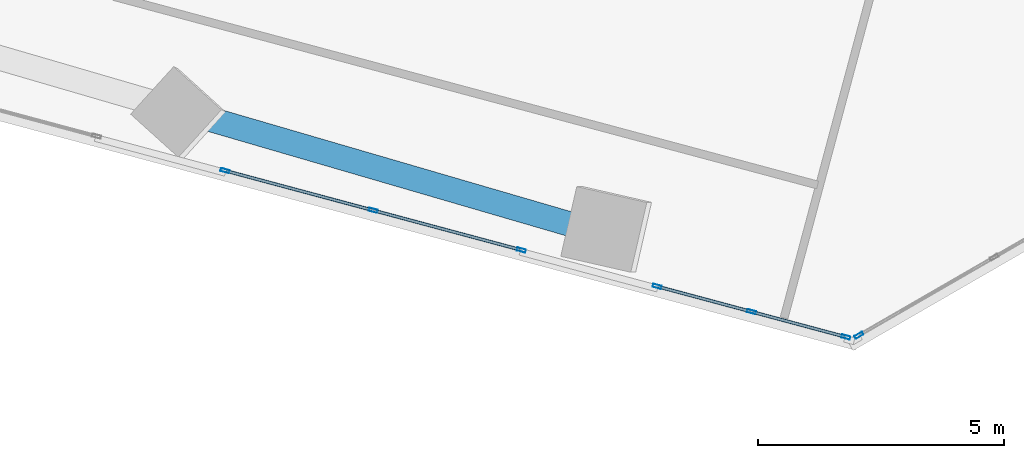
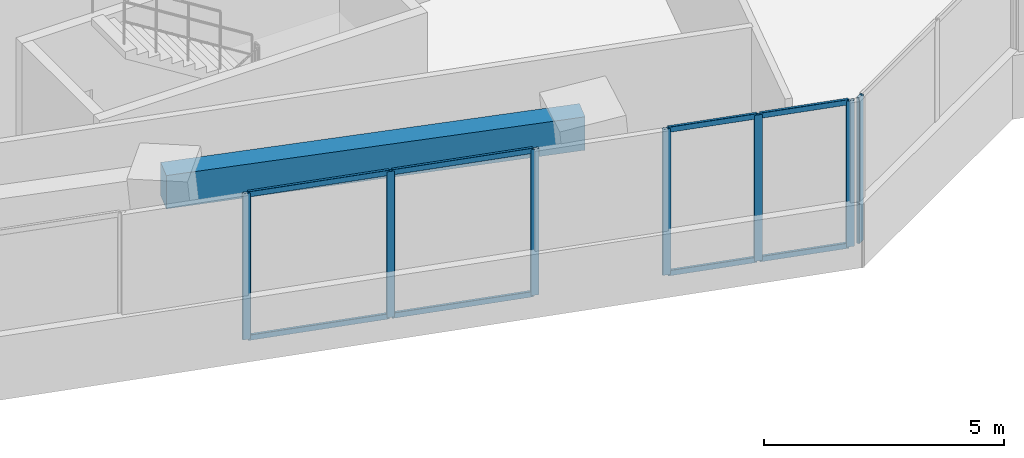
# One storey, part 4 of 26: 15 members, 1 beam, 3 elements without a shape of their own.
"""IFC4 building model written with IfcOpenShell, lengths in metres."""

from ifc_helpers import new_model, si_unit, direction, frame, origin, origin_2d, place, context, subcontext, project, spatial, rectangle, hollow_rectangle, extrude, source, transform, mapped, material, material_profile, profile_set, type_object, element, aggregate, save


model = new_model("IFC4")

# Units and contexts
model_context = context("Model", 3, precision=1e-05, world=origin(), true_north=direction((0.0, 1.0)))
body_context = subcontext(model_context, "Body", "Model", "MODEL_VIEW")
ifc_project = project(units=[si_unit("LENGTHUNIT", "METRE"), si_unit("AREAUNIT", "SQUARE_METRE"), si_unit("VOLUMEUNIT", "CUBIC_METRE"), si_unit("PLANEANGLEUNIT", "RADIAN"), si_unit("MASSUNIT", "GRAM", prefix="KILO")], contexts=[model_context])

# Site, building, storey
site_placement = place(None, origin())
site = spatial("IfcSite", under=ifc_project, at=site_placement, CompositionType="ELEMENT")
building_placement = place(site_placement, origin())
building = spatial("IfcBuilding", under=site, at=building_placement, Name="Torre Montelarca", CompositionType="ELEMENT")
storey_placement = place(building_placement, frame((0.0, 0.0, 104.199951171875)))
storey = spatial("IfcBuildingStorey", under=building, at=storey_placement, Name="L23", CompositionType="ELEMENT", Elevation=104.199951171875)

# Beam
ifc_material_1 = material(Name="Concrete C55/67", Category="concrete")
ifc_material_profile_1 = material_profile(ifc_material_1, rectangle(XDim=0.5, YDim=0.85009765625, at=origin_2d()), Name="RCB500X850", Category="concrete")
ifc_profile_set_1 = profile_set([ifc_material_profile_1], Name="Concrete C55/67")
beam_type = type_object("IfcBeamType", Name="BM-SP-RC850-EXT", PredefinedType="SPANDREL", material=ifc_profile_set_1)
shared_shape_1 = source(origin(), body_context, "Body", "SweptSolid", [
    extrude(rectangle(XDim=0.5, YDim=0.85009765625, at=origin_2d()), origin(), (0.0, 0.0, 1.0), 9.0),
])
beam_placement = place(storey_placement, frame((13.326904296875, 16.466552734375, 3.53515625), z_axis=(0.960046471347, -0.279840620452, 0.0), x_axis=(0.279840620452, 0.960046471347, 0.0)))
element("IfcBeam", 1, at=beam_placement, inside=storey, type_object=beam_type, Name="L23 Grid Girder X 18.0-27.0 at Y=14.8", PredefinedType="SPANDREL", context=body_context, shape_type="MappedRepresentation", body=[
    mapped(shared_shape_1, transform((0.0, 0.0, 0.0), scale=1.0)),
])

# Curtain wall, members
ifc_material_2 = material(Name="Insulated low-E laminated glass", Category="glass")
curtain_wall_type = type_object("IfcCurtainWallType", Name="CW-SYS-Z1", PredefinedType="USERDEFINED", material=ifc_material_2)
curtain_wall_1_placement = place(storey_placement, origin())
curtain_wall_1 = element("IfcCurtainWall", 2, at=curtain_wall_1_placement, inside=storey, type_object=curtain_wall_type, Name="L23 Curtain Wall Run CW-T3-L23-E01-B3", ObjectType="UNITISED GLAZING", PredefinedType="USERDEFINED")
ifc_material_3 = material(Name="Anodised aluminium AA 6063-T6", Category="aluminium")
ifc_material_profile_2 = material_profile(ifc_material_3, hollow_rectangle(XDim=0.06494140625, YDim=0.139892578125, WallThickness=0.00390625, InnerFilletRadius=0.00390625, OuterFilletRadius=0.008056640625, at=origin_2d()), Name="ALU65X140X4", Category="aluminium")
ifc_profile_set_2 = profile_set([ifc_material_profile_2], Name="Anodised aluminium AA 6063-T6")
member_type_1 = type_object("IfcMemberType", Name="CWT-ALU140", PredefinedType="USERDEFINED", material=ifc_profile_set_2)
shared_shape_2 = source(origin(), body_context, "Body", "SweptSolid", [
    extrude(hollow_rectangle(XDim=0.06494140625, YDim=0.139892578125, WallThickness=0.00390625, InnerFilletRadius=0.00390625, OuterFilletRadius=0.008056640625, at=origin_2d()), origin(), (0.0, 0.0, 1.0), 1.9169921875),
])
member_1_placement = place(storey_placement, frame((23.362548828125, 12.79345703125, 0.032470703125), z_axis=(0.965929859648, -0.258803991931, 0.0), x_axis=(0.258803991931, 0.965929859648, 0.0)))
member_1 = element("IfcMember", 3, at=member_1_placement, type_object=member_type_1, Name="CW transom 1.1", ObjectType="TRANSOM", PredefinedType="USERDEFINED", context=body_context, shape_type="MappedRepresentation", body=[
    mapped(shared_shape_2, transform((0.0, 0.0, 0.0), scale=1.0)),
])
member_2_placement = place(storey_placement, frame((23.362548828125, 12.79345703125, 3.6875), z_axis=(0.965929859648, -0.258803991931, 0.0), x_axis=(0.258803991931, 0.965929859648, 0.0)))
member_2 = element("IfcMember", 4, at=member_2_placement, type_object=member_type_1, Name="CW transom 1.2", ObjectType="TRANSOM", PredefinedType="USERDEFINED", context=body_context, shape_type="MappedRepresentation", body=[
    mapped(shared_shape_2, transform((0.0, 0.0, 0.0), scale=1.0)),
])
member_3_placement = place(storey_placement, frame((25.277099609375, 12.280517578125, 0.032470703125), z_axis=(0.965929859648, -0.258803991931, 0.0), x_axis=(0.258803991931, 0.965929859648, 0.0)))
member_3 = element("IfcMember", 5, at=member_3_placement, type_object=member_type_1, Name="CW transom 2.1", ObjectType="TRANSOM", PredefinedType="USERDEFINED", context=body_context, shape_type="MappedRepresentation", body=[
    mapped(shared_shape_2, transform((0.0, 0.0, 0.0), scale=1.0)),
])
member_4_placement = place(storey_placement, frame((25.277099609375, 12.280517578125, 3.6875), z_axis=(0.965929859648, -0.258803991931, 0.0), x_axis=(0.258803991931, 0.965929859648, 0.0)))
member_4 = element("IfcMember", 6, at=member_4_placement, type_object=member_type_1, Name="CW transom 2.2", ObjectType="TRANSOM", PredefinedType="USERDEFINED", context=body_context, shape_type="MappedRepresentation", body=[
    mapped(shared_shape_2, transform((0.0, 0.0, 0.0), scale=1.0)),
])

curtain_wall_2_placement = place(storey_placement, origin())
curtain_wall_2 = element("IfcCurtainWall", 7, at=curtain_wall_2_placement, inside=storey, type_object=curtain_wall_type, Name="L23 Curtain Wall Run CW-T3-L23-E01-B2", ObjectType="UNITISED GLAZING", PredefinedType="USERDEFINED")
shared_shape_3 = source(origin(), body_context, "Body", "SweptSolid", [
    extrude(hollow_rectangle(XDim=0.06494140625, YDim=0.139892578125, WallThickness=0.00390625, InnerFilletRadius=0.00390625, OuterFilletRadius=0.008056640625, at=origin_2d()), origin(), (0.0, 0.0, 1.0), 3.046875),
])
member_5_placement = place(storey_placement, frame((17.602294921875, 14.3369140625, 0.032470703125), z_axis=(0.965928380579, -0.258809512175, 0.0), x_axis=(0.258809512175, 0.965928380579, 0.0)))
member_5 = element("IfcMember", 8, at=member_5_placement, type_object=member_type_1, Name="CW transom 2.1", ObjectType="TRANSOM", PredefinedType="USERDEFINED", context=body_context, shape_type="MappedRepresentation", body=[
    mapped(shared_shape_3, transform((0.0, 0.0, 0.0), scale=1.0)),
])
member_6_placement = place(storey_placement, frame((17.602294921875, 14.3369140625, 3.6875), z_axis=(0.965928380579, -0.258809512175, 0.0), x_axis=(0.258809512175, 0.965928380579, 0.0)))
member_6 = element("IfcMember", 9, at=member_6_placement, type_object=member_type_1, Name="CW transom 2.2", ObjectType="TRANSOM", PredefinedType="USERDEFINED", context=body_context, shape_type="MappedRepresentation", body=[
    mapped(shared_shape_3, transform((0.0, 0.0, 0.0), scale=1.0)),
])
shared_shape_4 = source(origin(), body_context, "Body", "SweptSolid", [
    extrude(hollow_rectangle(XDim=0.06494140625, YDim=0.139892578125, WallThickness=0.00390625, InnerFilletRadius=0.00390625, OuterFilletRadius=0.008056640625, at=origin_2d()), origin(), (0.0, 0.0, 1.0), 3.046630859375),
])
member_7_placement = place(storey_placement, frame((14.5966796875, 15.142333984375, 0.032470703125), z_axis=(0.965923012874, -0.258829544681, 0.0), x_axis=(0.258829544681, 0.965923012874, 0.0)))
member_7 = element("IfcMember", 10, at=member_7_placement, type_object=member_type_1, Name="CW transom 1.1", ObjectType="TRANSOM", PredefinedType="USERDEFINED", context=body_context, shape_type="MappedRepresentation", body=[
    mapped(shared_shape_4, transform((0.0, 0.0, 0.0), scale=1.0)),
])
member_8_placement = place(storey_placement, frame((14.5966796875, 15.142333984375, 3.6875), z_axis=(0.965923012874, -0.258829544681, 0.0), x_axis=(0.258829544681, 0.965923012874, 0.0)))
member_8 = element("IfcMember", 11, at=member_8_placement, type_object=member_type_1, Name="CW transom 1.2", ObjectType="TRANSOM", PredefinedType="USERDEFINED", context=body_context, shape_type="MappedRepresentation", body=[
    mapped(shared_shape_4, transform((0.0, 0.0, 0.0), scale=1.0)),
])
ifc_material_profile_3 = material_profile(ifc_material_3, hollow_rectangle(XDim=0.06494140625, YDim=0.179931640625, WallThickness=0.00390625, InnerFilletRadius=0.00390625, OuterFilletRadius=0.008056640625, at=origin_2d()), Name="ALU65X180X4", Category="aluminium")
ifc_profile_set_3 = profile_set([ifc_material_profile_3], Name="Anodised aluminium AA 6063-T6")
member_type_2 = type_object("IfcMemberType", Name="CWM-ALU180", PredefinedType="MULLION", material=ifc_profile_set_3)
shared_shape_5 = source(origin(), body_context, "Body", "SweptSolid", [
    extrude(hollow_rectangle(XDim=0.06494140625, YDim=0.179931640625, WallThickness=0.00390625, InnerFilletRadius=0.00390625, OuterFilletRadius=0.008056640625, at=origin_2d()), origin(), (0.0, 0.0, 1.0), 3.719970703125),
])
member_9_placement = place(storey_placement, frame((14.565185546875, 15.150634765625, 0.0), z_axis=(0.0, 0.0, 1.0), x_axis=(0.258822459858, 0.965924911302, 0.0)))
member_9 = element("IfcMember", 12, at=member_9_placement, type_object=member_type_2, Name="CW mullion 1", PredefinedType="MULLION", context=body_context, shape_type="MappedRepresentation", body=[
    mapped(shared_shape_5, transform((0.0, 0.0, 0.0), scale=1.0)),
])
member_10_placement = place(storey_placement, frame((17.571044921875, 14.34521484375, 0.0), z_axis=(0.0, 0.0, 1.0), x_axis=(0.258822459858, 0.965924911302, 0.0)))
member_10 = element("IfcMember", 13, at=member_10_placement, type_object=member_type_2, Name="CW mullion 2", PredefinedType="MULLION", context=body_context, shape_type="MappedRepresentation", body=[
    mapped(shared_shape_5, transform((0.0, 0.0, 0.0), scale=1.0)),
])
member_11_placement = place(storey_placement, frame((20.57666015625, 13.539794921875, 0.0), z_axis=(0.0, 0.0, 1.0), x_axis=(0.258822459858, 0.965924911302, 0.0)))
member_11 = element("IfcMember", 14, at=member_11_placement, type_object=member_type_2, Name="CW mullion 3", PredefinedType="MULLION", context=body_context, shape_type="MappedRepresentation", body=[
    mapped(shared_shape_5, transform((0.0, 0.0, 0.0), scale=1.0)),
])
aggregate(curtain_wall_2, [member_9, member_10, member_11, member_7, member_8, member_5, member_6])

# Member
member_12_placement = place(storey_placement, frame((23.3310546875, 12.802001953125, 0.0), z_axis=(0.0, 0.0, 1.0), x_axis=(0.258817964349, 0.965926115875, 0.0)))
member_12 = element("IfcMember", 15, at=member_12_placement, type_object=member_type_2, Name="CW mullion 1", PredefinedType="MULLION", context=body_context, shape_type="MappedRepresentation", body=[
    mapped(shared_shape_5, transform((0.0, 0.0, 0.0), scale=1.0)),
])

member_13_placement = place(storey_placement, frame((25.24560546875, 12.288818359375, 0.0), z_axis=(0.0, 0.0, 1.0), x_axis=(0.258817964349, 0.965926115875, 0.0)))
member_13 = element("IfcMember", 16, at=member_13_placement, type_object=member_type_2, Name="CW mullion 2", PredefinedType="MULLION", context=body_context, shape_type="MappedRepresentation", body=[
    mapped(shared_shape_5, transform((0.0, 0.0, 0.0), scale=1.0)),
])

member_14_placement = place(storey_placement, frame((27.16015625, 11.77587890625, 0.0), z_axis=(0.0, 0.0, 1.0), x_axis=(0.258817964349, 0.965926115875, 0.0)))
member_14 = element("IfcMember", 17, at=member_14_placement, type_object=member_type_2, Name="CW mullion 3", PredefinedType="MULLION", context=body_context, shape_type="MappedRepresentation", body=[
    mapped(shared_shape_5, transform((0.0, 0.0, 0.0), scale=1.0)),
])

aggregate(curtain_wall_1, [member_12, member_13, member_14, member_1, member_2, member_3, member_4])

# Curtain wall, member
curtain_wall_3_placement = place(storey_placement, origin())
curtain_wall_3 = element("IfcCurtainWall", 18, at=curtain_wall_3_placement, inside=storey, type_object=curtain_wall_type, Name="L23 Curtain Wall Run CW-T3-L23-E02-B1", ObjectType="UNITISED GLAZING", PredefinedType="USERDEFINED")
member_15_placement = place(storey_placement, frame((27.4248046875, 11.810791015625, 0.0), z_axis=(0.0, 0.0, 1.0), x_axis=(-0.500001094386, 0.86602477194, 0.0)))
member_15 = element("IfcMember", 19, at=member_15_placement, type_object=member_type_2, Name="CW mullion 1", PredefinedType="MULLION", context=body_context, shape_type="MappedRepresentation", body=[
    mapped(shared_shape_5, transform((0.0, 0.0, 0.0), scale=1.0)),
])
aggregate(curtain_wall_3, [member_15])

save(model, "model.ifc")
